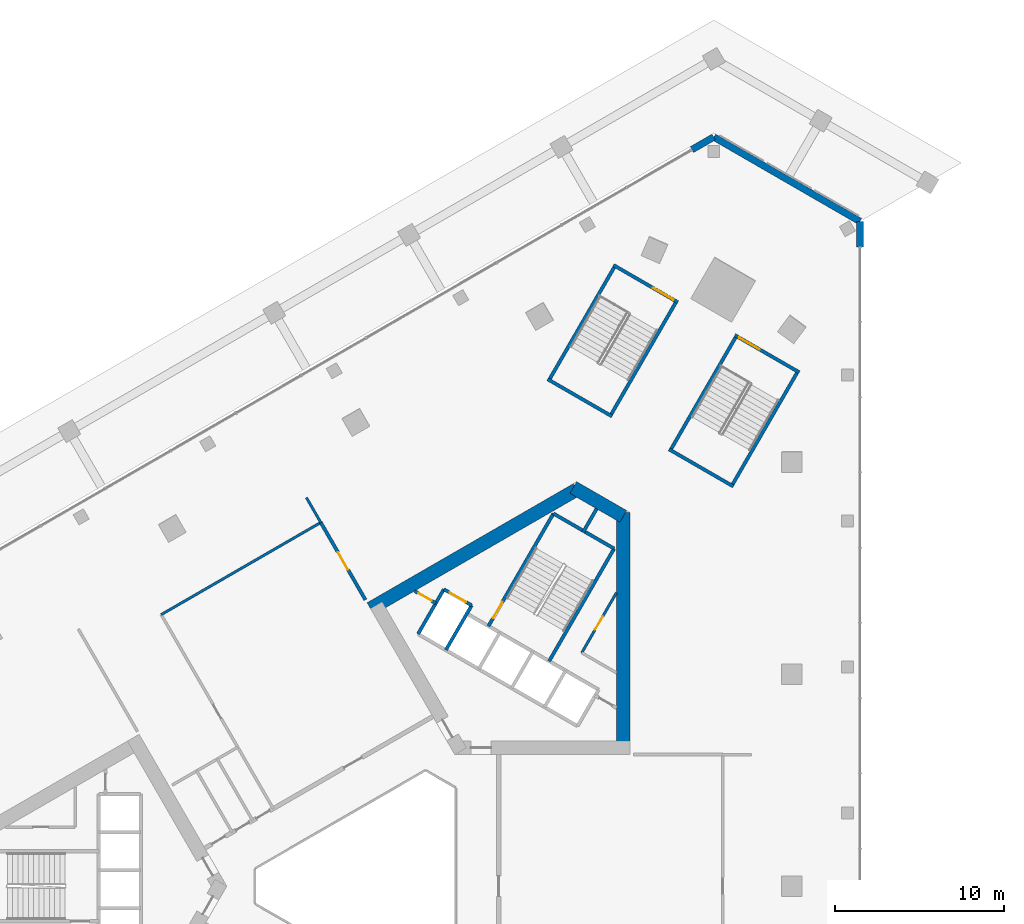
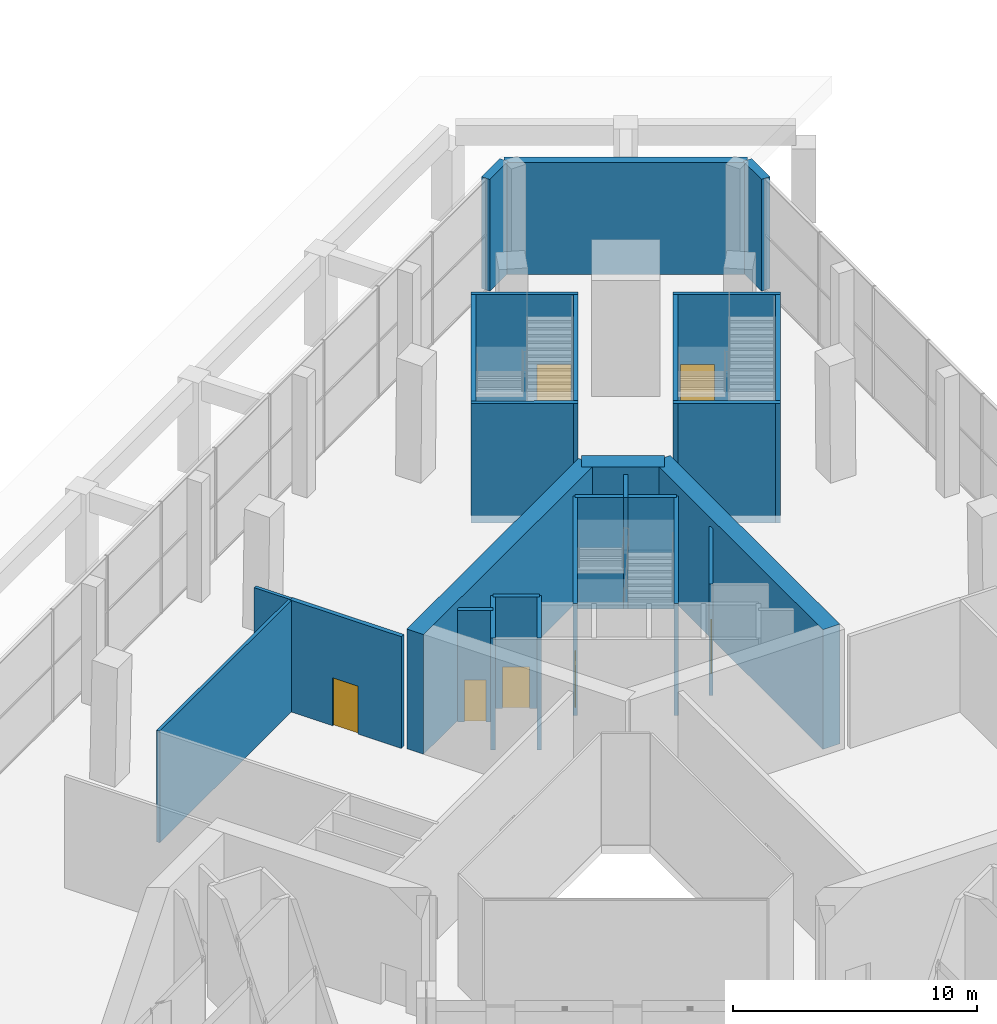
# One storey, part 30 of 51: 26 walls, 7 doors, 7 openings.
"""IFC4 building model written with IfcOpenShell, lengths in metres."""

from ifc_helpers import new_model, si_unit, direction, frame, frame_2d, origin, place, context, subcontext, project, spatial, rectangle, extrude, material, layer, layer_set, type_object, element, fill, save


model = new_model("IFC4")

# Units and contexts
model_context = context("Model", 3, precision=1e-05, world=origin(), true_north=direction((0.0, 1.0)))
body_context = subcontext(model_context, "Body", "Model", "MODEL_VIEW")
ifc_project = project(units=[si_unit("LENGTHUNIT", "METRE"), si_unit("AREAUNIT", "SQUARE_METRE"), si_unit("VOLUMEUNIT", "CUBIC_METRE"), si_unit("PLANEANGLEUNIT", "RADIAN"), si_unit("MASSUNIT", "GRAM", prefix="KILO")], contexts=[model_context])

# Site, building, storey
site_placement = place(None, origin())
site = spatial("IfcSite", under=ifc_project, at=site_placement, CompositionType="ELEMENT")
building_placement = place(site_placement, origin())
building = spatial("IfcBuilding", under=site, at=building_placement, Name="Jabali Bay Hotel Tower and Convention Centre", CompositionType="ELEMENT")
storey_placement = place(building_placement, frame((0.0, 0.0, 9.0)))
storey = spatial("IfcBuildingStorey", under=building, at=storey_placement, Name="L01", CompositionType="ELEMENT", Elevation=9.0)

# Wall
ifc_material_1 = material(Name="Concrete C40", Category="concrete")
ifc_layer_1 = layer(ifc_material_1, 0.199951171875)
ifc_layer_set_1 = layer_set([ifc_layer_1], Name="Concrete C40")
wall_type_1 = type_object("IfcWallType", Name="Core partition wall 200", PredefinedType="PARTITIONING", material=ifc_layer_set_1)
wall_1_placement = place(storey_placement, frame((87.090087890625, 100.9404296875, 0.0), z_axis=(0.0, 0.0, 1.0), x_axis=(0.499956811548, 0.866050337213, 0.0)))
element("IfcWall", 1, at=wall_1_placement, inside=storey, type_object=wall_type_1, Name="Core wall 1.5 L01", PredefinedType="PARTITIONING", context=body_context, shape_type="SweptSolid", body=[
    extrude(rectangle(XDim=1.623291015625, YDim=0.199951171875, at=frame_2d((0.8115234375, 0.0))), origin(), (0.0, 0.0, 1.0), 5.60009765625),
])

# Wall, opening, door
wall_2_placement = place(storey_placement, frame((78.380126953125, 96.754638671875, 0.0), z_axis=(0.0, 0.0, 1.0), x_axis=(-0.866003949776, 0.500037157592, 0.0)))
wall_2 = element("IfcWall", 2, at=wall_2_placement, inside=storey, type_object=wall_type_1, Name="Core wall 1.12 L01", PredefinedType="PARTITIONING", context=body_context, shape_type="SweptSolid", body=[
    extrude(rectangle(XDim=1.455078125, YDim=0.199951171875, at=frame_2d((0.7275390625, 0.0))), origin(), (0.0, 0.0, 1.0), 5.60009765625),
])
opening_1_placement = place(wall_2_placement, frame((0.277587890625, 0.0, 0.0)))
opening_1 = element("IfcOpeningElement", 3, at=opening_1_placement, cuts=wall_2, Name="Opening D134", PredefinedType="OPENING", context=body_context, shape_type="SweptSolid", body=[
    extrude(rectangle(XDim=0.89990234375, YDim=2.10009765625, at=frame_2d((0.449951171875, 1.050048828125))), frame((0.0, 0.1103515625, 0.0), z_axis=(0.0, -1.0, 0.0), x_axis=(1.0, 0.0, 0.0)), (0.0, 0.0, 1.0), 0.220947265625),
])
ifc_material_2 = material(Name="Fire-rated steel door", Category="steel")
door_type_1 = type_object("IfcDoorType", Name="Vestibule fire door 900 x 2100", OperationType="NOTDEFINED", PredefinedType="NOTDEFINED", material=ifc_material_2)
door_1_placement = place(opening_1_placement, origin())
door_1 = element("IfcDoor", 4, at=door_1_placement, inside=storey, type_object=door_type_1, Name="Vestibule fire door D134", OperationType="SINGLE_SWING_LEFT", OverallHeight=2.10009765625, OverallWidth=0.89990234375, PredefinedType="NOTDEFINED", context=body_context, shape_type="SweptSolid", body=[
    extrude(rectangle(XDim=0.89990234375, YDim=2.10009765625, at=frame_2d((0.449951171875, 1.050048828125))), frame((0.0, 0.02490234375, 0.0), z_axis=(0.0, -1.0, 0.0), x_axis=(1.0, 0.0, 0.0)), (0.0, 0.0, 1.0), 0.050048828125),
])
fill(opening_1, door_1)

ifc_material_3 = material(Name="Fire-rated board partition")
ifc_layer_2 = layer(ifc_material_3, 0.14990234375)
ifc_layer_set_2 = layer_set([ifc_layer_2], Name="Fire-rated board partition")
wall_type_2 = type_object("IfcWallType", Name="Core room partition 150", PredefinedType="PARTITIONING", material=ifc_layer_set_2)
wall_3_placement = place(storey_placement, frame((87.02099609375, 93.821044921875, 0.0), z_axis=(0.0, 0.0, 1.0), x_axis=(0.500028662945, 0.866008854593, 0.0)))
wall_3 = element("IfcWall", 5, at=wall_3_placement, inside=storey, type_object=wall_type_2, Name="Core wall 1.1 L01", PredefinedType="PARTITIONING", context=body_context, shape_type="SweptSolid", body=[
    extrude(rectangle(XDim=4.117919921875, YDim=0.14990234375, at=frame_2d((2.05908203125, 0.0))), origin(), (0.0, 0.0, 1.0), 5.60009765625),
])
opening_2_placement = place(wall_3_placement, frame((1.58154296875, 0.0, 0.0)))
opening_2 = element("IfcOpeningElement", 6, at=opening_2_placement, cuts=wall_3, Name="Opening D137", PredefinedType="OPENING", context=body_context, shape_type="SweptSolid", body=[
    extrude(rectangle(XDim=0.89990234375, YDim=2.10009765625, at=frame_2d((0.449951171875, 1.050048828125))), frame((0.0, 0.08544921875, 0.0), z_axis=(0.0, -1.0, 0.0), x_axis=(1.0, 0.0, 0.0)), (0.0, 0.0, 1.0), 0.1708984375),
])
door_type_2 = type_object("IfcDoorType", Name="Core room door 900 x 2100", OperationType="NOTDEFINED", PredefinedType="NOTDEFINED", material=ifc_material_2)
door_2_placement = place(opening_2_placement, origin())
door_2 = element("IfcDoor", 7, at=door_2_placement, inside=storey, type_object=door_type_2, Name="Core room door D137", OperationType="SINGLE_SWING_LEFT", OverallHeight=2.10009765625, OverallWidth=0.89990234375, PredefinedType="NOTDEFINED", context=body_context, shape_type="SweptSolid", body=[
    extrude(rectangle(XDim=0.89990234375, YDim=2.10009765625, at=frame_2d((0.449951171875, 1.050048828125))), frame((0.0, 0.02490234375, 0.0), z_axis=(0.0, -1.0, 0.0), x_axis=(1.0, 0.0, 0.0)), (0.0, 0.0, 1.0), 0.050048828125),
])
fill(opening_2, door_2)

# Wall
ifc_layer_3 = layer(ifc_material_1, 0.199951171875)
ifc_layer_set_3 = layer_set([ifc_layer_3], Name="Concrete C40")
wall_type_3 = type_object("IfcWallType", Name="Core stair wall 200", PredefinedType="SOLIDWALL", material=ifc_layer_set_3)
wall_4_placement = place(storey_placement, frame((85.0869140625, 93.3212890625, 0.0), z_axis=(0.0, 0.0, 1.0), x_axis=(0.500019787375, 0.866013979237, 0.0)))
element("IfcWall", 8, at=wall_4_placement, inside=storey, type_object=wall_type_3, Name="Core wall 1.3 L01", PredefinedType="SOLIDWALL", context=body_context, shape_type="SweptSolid", body=[
    extrude(rectangle(XDim=7.699951171875, YDim=0.199951171875, at=frame_2d((3.85009765625, 0.0))), origin(), (0.0, 0.0, 1.0), 5.60009765625),
])

# Wall, opening, door
wall_5_placement = place(storey_placement, frame((81.492919921875, 95.396240234375, 0.0), z_axis=(0.0, 0.0, 1.0), x_axis=(0.500006057782, 0.866021906294, 0.0)))
wall_5 = element("IfcWall", 9, at=wall_5_placement, inside=storey, type_object=wall_type_3, Name="Core wall 1.7 L01", PredefinedType="SOLIDWALL", context=body_context, shape_type="SweptSolid", body=[
    extrude(rectangle(XDim=7.7001953125, YDim=0.199951171875, at=frame_2d((3.85009765625, 0.0))), origin(), (0.0, 0.0, 1.0), 5.60009765625),
])
opening_3_placement = place(wall_5_placement, frame((0.550048828125, 0.0, 0.0)))
opening_3 = element("IfcOpeningElement", 10, at=opening_3_placement, cuts=wall_5, Name="Opening D136", PredefinedType="OPENING", context=body_context, shape_type="SweptSolid", body=[
    extrude(rectangle(XDim=1.10009765625, YDim=2.10009765625, at=frame_2d((0.550048828125, 1.050048828125))), frame((0.0, 0.1103515625, 0.0), z_axis=(0.0, -1.0, 0.0), x_axis=(1.0, 0.0, 0.0)), (0.0, 0.0, 1.0), 0.220947265625),
])
door_type_3 = type_object("IfcDoorType", Name="Stair fire door 1100 x 2100", OperationType="NOTDEFINED", PredefinedType="NOTDEFINED", material=ifc_material_2)
door_3_placement = place(opening_3_placement, origin())
door_3 = element("IfcDoor", 11, at=door_3_placement, inside=storey, type_object=door_type_3, Name="Stair fire door D136", OperationType="SINGLE_SWING_RIGHT", OverallHeight=2.10009765625, OverallWidth=1.10009765625, PredefinedType="NOTDEFINED", context=body_context, shape_type="SweptSolid", body=[
    extrude(rectangle(XDim=1.10009765625, YDim=2.10009765625, at=frame_2d((0.550048828125, 1.050048828125))), frame((0.0, 0.02490234375, 0.0), z_axis=(0.0, -1.0, 0.0), x_axis=(1.0, 0.0, 0.0)), (0.0, 0.0, 1.0), 0.050048828125),
])
fill(opening_3, door_3)

# Walls
for number, where, z_axis, x_axis, name in (
    (12, (78.9755859375, 93.98583984375, 0.0), (0.0, 0.0, 1.0), (0.499944174705, 0.866057632134, 0.0), "Core wall 1.8 L01"),
    (13, (77.330078125, 94.93603515625, 0.0), (0.0, 0.0, 1.0), (0.500038867431, 0.8660029625, 0.0), "Core wall 1.9 L01"),
):
    element("IfcWall", number, at=place(storey_placement, frame(where, z_axis=z_axis, x_axis=x_axis)), inside=storey, type_object=wall_type_3, Name=name, PredefinedType="SOLIDWALL", context=body_context, shape_type="SweptSolid", body=[
        extrude(rectangle(XDim=3.050048828125, YDim=0.199951171875, at=frame_2d((1.52490234375, 0.0))), origin(), (0.0, 0.0, 1.0), 5.60009765625),
    ])

# Wall, opening, door
wall_6_placement = place(storey_placement, frame((80.50048828125, 96.62744140625, 0.0), z_axis=(0.0, 0.0, 1.0), x_axis=(-0.86601224135, 0.500022797313, 0.0)))
wall_6 = element("IfcWall", 14, at=wall_6_placement, inside=storey, type_object=wall_type_3, Name="Core wall 1.14 L01", PredefinedType="SOLIDWALL", context=body_context, shape_type="SweptSolid", body=[
    extrude(rectangle(XDim=1.89990234375, YDim=0.199951171875, at=frame_2d((0.949951171875, 0.0))), origin(), (0.0, 0.0, 1.0), 5.60009765625),
])
opening_4_placement = place(wall_6_placement, frame((0.39990234375, 0.0, 0.0)))
opening_4 = element("IfcOpeningElement", 15, at=opening_4_placement, cuts=wall_6, Name="Opening LD10-L01", PredefinedType="OPENING", context=body_context, shape_type="SweptSolid", body=[
    extrude(rectangle(XDim=1.10009765625, YDim=2.10009765625, at=frame_2d((0.550048828125, 1.050048828125))), frame((0.0, 0.1103515625, 0.0), z_axis=(0.0, -1.0, 0.0), x_axis=(1.0, 0.0, 0.0)), (0.0, 0.0, 1.0), 0.220947265625),
])
ifc_material_4 = material(Name="Stainless steel landing door", Category="steel")
door_type_4 = type_object("IfcDoorType", Name="Landing door 1100 x 2100", OperationType="NOTDEFINED", PredefinedType="NOTDEFINED", material=ifc_material_4)
door_4_placement = place(opening_4_placement, origin())
door_4 = element("IfcDoor", 16, at=door_4_placement, inside=storey, type_object=door_type_4, Name="Landing doors LD10-L01", OperationType="SLIDING_TO_RIGHT", OverallHeight=2.10009765625, OverallWidth=1.10009765625, PredefinedType="NOTDEFINED", context=body_context, shape_type="SweptSolid", body=[
    extrude(rectangle(XDim=1.10009765625, YDim=2.10009765625, at=frame_2d((0.550048828125, 1.050048828125))), frame((0.0, 0.02490234375, 0.0), z_axis=(0.0, -1.0, 0.0), x_axis=(1.0, 0.0, 0.0)), (0.0, 0.0, 1.0), 0.050048828125),
])
fill(opening_4, door_4)

# Walls
wall_7_placement = place(storey_placement, frame((88.93701171875, 99.989501953125, 0.0), z_axis=(0.0, 0.0, 1.0), x_axis=(-0.866004344652, 0.500036473714, 0.0)))
element("IfcWall", 17, at=wall_7_placement, inside=storey, type_object=wall_type_3, Name="Core wall 1.16 L01", PredefinedType="SOLIDWALL", context=body_context, shape_type="SweptSolid", body=[
    extrude(rectangle(XDim=4.150146484375, YDim=0.199951171875, at=frame_2d((2.0751953125, 0.0))), origin(), (0.0, 0.0, 1.0), 5.60009765625),
])
ifc_material_5 = material(Name="Concrete C60", Category="concrete")
ifc_layer_4 = layer(ifc_material_5, 0.800048828125)
ifc_layer_set_4 = layer_set([ifc_layer_4], Name="Concrete C60")
wall_type_4 = type_object("IfcWallType", Name="Core wall 800", PredefinedType="SHEAR", material=ifc_layer_set_4)
wall_8_placement = place(storey_placement, frame((89.47998046875, 88.1943359375, 0.0), z_axis=(0.0, 0.0, 1.0), x_axis=(0.0, 1.0, 0.0)))
element("IfcWall", 18, at=wall_8_placement, inside=storey, type_object=wall_type_4, Name="Core wall 2.2 L01", PredefinedType="SHEAR", context=body_context, shape_type="SweptSolid", body=[
    extrude(rectangle(XDim=13.933349609375, YDim=0.800048828125, at=frame_2d((6.966796875, 0.0))), origin(), (0.0, 0.0, 1.0), 6.0),
])
wall_9_placement = place(storey_placement, frame((89.47998046875, 101.896728515625, 0.0), z_axis=(0.0, 0.0, 1.0), x_axis=(-0.866034355626, 0.499984494636, 0.0)))
element("IfcWall", 19, at=wall_9_placement, inside=storey, type_object=wall_type_4, Name="Core wall 2.3 L01", PredefinedType="SHEAR", context=body_context, shape_type="SweptSolid", body=[
    extrude(rectangle(XDim=3.4140625, YDim=0.800048828125, at=frame_2d((1.70703125, 0.0))), origin(), (0.0, 0.0, 1.0), 6.0),
])
wall_10_placement = place(storey_placement, frame((86.72314453125, 103.48828125, 0.0), z_axis=(0.0, 0.0, 1.0), x_axis=(-0.866032504327, -0.499987701298, 0.0)))
element("IfcWall", 20, at=wall_10_placement, inside=storey, type_object=wall_type_4, Name="Core wall 2.4 L01", PredefinedType="SHEAR", context=body_context, shape_type="SweptSolid", body=[
    extrude(rectangle(XDim=14.102294921875, YDim=0.800048828125, at=frame_2d((7.05126953125, 0.0))), origin(), (0.0, 0.0, 1.0), 6.0),
])
ifc_material_6 = material(Name="Plasterboard on steel stud", Category="steel")
ifc_layer_5 = layer(ifc_material_6, 0.14990234375)
ifc_layer_set_5 = layer_set([ifc_layer_5], Name="Plasterboard on steel stud")
wall_type_5 = type_object("IfcWallType", Name="Partition 150 wet", PredefinedType="PARTITIONING", material=ifc_layer_set_5)
wall_11_placement = place(storey_placement, frame((71.56591796875, 101.536376953125, 0.0), z_axis=(0.0, 0.0, 1.0), x_axis=(-0.866017530991, -0.50001363583, 0.0)))
element("IfcWall", 21, at=wall_11_placement, inside=storey, type_object=wall_type_5, Name="Partition P03 L01 006", PredefinedType="PARTITIONING", context=body_context, shape_type="SweptSolid", body=[
    extrude(rectangle(XDim=10.910888671875, YDim=0.14990234375, at=frame_2d((5.45556640625, 0.0))), origin(), (0.0, 0.0, 1.0), 5.60009765625),
])
wall_12_placement = place(storey_placement, frame((71.575927734375, 101.51904296875, 0.0), z_axis=(0.0, 0.0, 1.0), x_axis=(-0.499942880228, 0.866058379388, 0.0)))
element("IfcWall", 22, at=wall_12_placement, inside=storey, type_object=wall_type_5, Name="Partition P03 L01 011", PredefinedType="PARTITIONING", context=body_context, shape_type="SweptSolid", body=[
    extrude(rectangle(XDim=1.725830078125, YDim=0.14990234375, at=frame_2d((0.86279296875, 0.0))), origin(), (0.0, 0.0, 1.0), 5.60009765625),
])

# Wall, opening, door
ifc_layer_6 = layer(ifc_material_6, 0.199951171875)
ifc_layer_set_6 = layer_set([ifc_layer_6], Name="Plasterboard on steel stud")
wall_type_6 = type_object("IfcWallType", Name="Partition 200 party", PredefinedType="PARTITIONING", material=ifc_layer_set_6)
wall_13_placement = place(storey_placement, frame((74.21044921875, 96.955810546875, 0.0), z_axis=(0.0, 0.0, 1.0), x_axis=(-0.499991804824, 0.86603013522, 0.0)))
wall_13 = element("IfcWall", 23, at=wall_13_placement, inside=storey, type_object=wall_type_6, Name="Partition P01 L01 008", PredefinedType="PARTITIONING", context=body_context, shape_type="SweptSolid", body=[
    extrude(rectangle(XDim=5.30908203125, YDim=0.199951171875, at=frame_2d((2.654541015625, 0.0))), origin(), (0.0, 0.0, 1.0), 5.60009765625),
])
opening_5_placement = place(wall_13_placement, frame((2.054931640625, 0.0, 0.0)))
opening_5 = element("IfcOpeningElement", 24, at=opening_5_placement, cuts=wall_13, Name="Opening 0112", PredefinedType="OPENING", context=body_context, shape_type="SweptSolid", body=[
    extrude(rectangle(XDim=1.199951171875, YDim=2.39990234375, at=frame_2d((0.60009765625, 1.199951171875))), frame((0.0, 0.1103515625, 0.0), z_axis=(0.0, -1.0, 0.0), x_axis=(1.0, 0.0, 0.0)), (0.0, 0.0, 1.0), 0.220947265625),
])
ifc_material_7 = material(Name="Timber", Category="wood")
door_type_5 = type_object("IfcDoorType", Name="Public room door 1200 x 2400", OperationType="NOTDEFINED", PredefinedType="NOTDEFINED", material=ifc_material_7)
door_5_placement = place(opening_5_placement, origin())
door_5 = element("IfcDoor", 25, at=door_5_placement, inside=storey, type_object=door_type_5, Name="Door 0112", OperationType="SINGLE_SWING_RIGHT", OverallHeight=2.39990234375, OverallWidth=1.199951171875, PredefinedType="NOTDEFINED", context=body_context, shape_type="SweptSolid", body=[
    extrude(rectangle(XDim=1.199951171875, YDim=2.39990234375, at=frame_2d((0.60009765625, 1.199951171875))), frame((0.0, 0.02490234375, 0.0), z_axis=(0.0, -1.0, 0.0), x_axis=(1.0, 0.0, 0.0)), (0.0, 0.0, 1.0), 0.050048828125),
])
fill(opening_5, door_5)

# Walls
ifc_layer_7 = layer(ifc_material_1, 0.39990234375)
ifc_layer_set_7 = layer_set([ifc_layer_7], Name="Concrete C40")
wall_type_7 = type_object("IfcWallType", Name="Podium external wall 400", PredefinedType="SOLIDWALL", material=ifc_layer_set_7)
wall_14_placement = place(storey_placement, frame((103.5, 119.363525390625, 0.0), z_axis=(0.0, 0.0, 1.0), x_axis=(0.0, -1.0, 0.0)))
element("IfcWall", 26, at=wall_14_placement, inside=storey, type_object=wall_type_7, Name="External wall east face L01", PredefinedType="SOLIDWALL", context=body_context, shape_type="SweptSolid", body=[
    extrude(rectangle(XDim=1.5, YDim=0.39990234375, at=frame_2d((0.75, 0.0))), origin(), (0.0, 0.0, 1.0), 5.60009765625),
])
wall_15_placement = place(storey_placement, frame((94.83984375, 124.363525390625, 0.0), z_axis=(0.0, 0.0, 1.0), x_axis=(0.866022959057, -0.500004234368, 0.0)))
element("IfcWall", 27, at=wall_15_placement, inside=storey, type_object=wall_type_7, Name="External wall north-east chamfer L01", PredefinedType="SOLIDWALL", context=body_context, shape_type="SweptSolid", body=[
    extrude(rectangle(XDim=10.0, YDim=0.39990234375, at=frame_2d((5.0, 0.0))), origin(), (0.0, 0.0, 1.0), 5.60009765625),
])
wall_16_placement = place(storey_placement, frame((93.540771484375, 123.613525390625, 0.0), z_axis=(0.0, 0.0, 1.0), x_axis=(0.866031096941, 0.499990139034, 0.0)))
element("IfcWall", 28, at=wall_16_placement, inside=storey, type_object=wall_type_7, Name="External wall north-west face L01", PredefinedType="SOLIDWALL", context=body_context, shape_type="SweptSolid", body=[
    extrude(rectangle(XDim=1.5, YDim=0.39990234375, at=frame_2d((0.75, 0.0))), origin(), (0.0, 0.0, 1.0), 5.60009765625),
])

# Wall, opening, door
ifc_layer_8 = layer(ifc_material_1, 0.199951171875)
ifc_layer_set_8 = layer_set([ifc_layer_8], Name="Concrete C40")
wall_type_8 = type_object("IfcWallType", Name="Podium stair enclosure wall 200", PredefinedType="SOLIDWALL", material=ifc_layer_set_8)
wall_17_placement = place(storey_placement, frame((92.711181640625, 114.576904296875, -0.39990234375), z_axis=(0.0, 0.0, 1.0), x_axis=(-0.866032203192, 0.499988222896, 0.0)))
wall_17 = element("IfcWall", 29, at=wall_17_placement, inside=storey, type_object=wall_type_8, Name="Podium stair wall 3.1 L01", PredefinedType="SOLIDWALL", context=body_context, shape_type="SweptSolid", body=[
    extrude(rectangle(XDim=4.39990234375, YDim=0.199951171875, at=frame_2d((2.199951171875, 0.0))), origin(), (0.0, 0.0, 1.0), 6.0),
])
opening_6_placement = place(wall_17_placement, frame((0.300048828125, 0.0, 0.39990234375)))
opening_6 = element("IfcOpeningElement", 30, at=opening_6_placement, cuts=wall_17, Name="Opening D1747", PredefinedType="OPENING", context=body_context, shape_type="SweptSolid", body=[
    extrude(rectangle(XDim=1.39990234375, YDim=2.10009765625, at=frame_2d((0.699951171875, 1.050048828125))), frame((0.0, 0.1103515625, 0.0), z_axis=(0.0, -1.0, 0.0), x_axis=(1.0, 0.0, 0.0)), (0.0, 0.0, 1.0), 0.220947265625),
])
door_type_6 = type_object("IfcDoorType", Name="Podium stair fire door 1400 x 2100", OperationType="NOTDEFINED", PredefinedType="NOTDEFINED", material=ifc_material_2)
door_6_placement = place(opening_6_placement, origin())
door_6 = element("IfcDoor", 31, at=door_6_placement, inside=storey, type_object=door_type_6, Name="Podium stair fire door D1747", OperationType="SINGLE_SWING_RIGHT", OverallHeight=2.10009765625, OverallWidth=1.39990234375, PredefinedType="NOTDEFINED", context=body_context, shape_type="SweptSolid", body=[
    extrude(rectangle(XDim=1.39990234375, YDim=2.10009765625, at=frame_2d((0.699951171875, 1.050048828125))), frame((0.0, 0.02490234375, 0.0), z_axis=(0.0, -1.0, 0.0), x_axis=(1.0, 0.0, 0.0)), (0.0, 0.0, 1.0), 0.050048828125),
])
fill(opening_6, door_6)

# Walls
wall_18_placement = place(storey_placement, frame((89.037353515625, 116.8134765625, -0.39990234375), z_axis=(0.0, 0.0, 1.0), x_axis=(-0.49999894854, -0.866026010844, 0.0)))
element("IfcWall", 32, at=wall_18_placement, inside=storey, type_object=wall_type_8, Name="Podium stair wall 3.2 L01", PredefinedType="SOLIDWALL", context=body_context, shape_type="SweptSolid", body=[
    extrude(rectangle(XDim=8.0, YDim=0.199951171875, at=frame_2d((4.0, 0.0))), origin(), (0.0, 0.0, 1.0), 6.0),
])
wall_19_placement = place(storey_placement, frame((85.000732421875, 110.021728515625, -0.39990234375), z_axis=(0.0, 0.0, 1.0), x_axis=(0.866032203192, -0.499988222896, 0.0)))
element("IfcWall", 33, at=wall_19_placement, inside=storey, type_object=wall_type_8, Name="Podium stair wall 3.3 L01", PredefinedType="SOLIDWALL", context=body_context, shape_type="SweptSolid", body=[
    extrude(rectangle(XDim=4.39990234375, YDim=0.199951171875, at=frame_2d((2.199951171875, 0.0))), origin(), (0.0, 0.0, 1.0), 6.0),
])
wall_20_placement = place(storey_placement, frame((88.674560546875, 107.78515625, -0.39990234375), z_axis=(0.0, 0.0, 1.0), x_axis=(0.49999894854, 0.866026010844, 0.0)))
element("IfcWall", 34, at=wall_20_placement, inside=storey, type_object=wall_type_8, Name="Podium stair wall 3.4 L01", PredefinedType="SOLIDWALL", context=body_context, shape_type="SweptSolid", body=[
    extrude(rectangle(XDim=8.0, YDim=0.199951171875, at=frame_2d((4.0, 0.0))), origin(), (0.0, 0.0, 1.0), 6.0),
])

# Wall, opening, door
wall_21_placement = place(storey_placement, frame((99.899169921875, 110.4267578125, -0.39990234375), z_axis=(0.0, 0.0, 1.0), x_axis=(-0.866018331238, 0.50001224981, 0.0)))
wall_21 = element("IfcWall", 35, at=wall_21_placement, inside=storey, type_object=wall_type_8, Name="Podium stair wall 4.1 L01", PredefinedType="SOLIDWALL", context=body_context, shape_type="SweptSolid", body=[
    extrude(rectangle(XDim=4.39990234375, YDim=0.199951171875, at=frame_2d((2.199951171875, 0.0))), origin(), (0.0, 0.0, 1.0), 6.0),
])
opening_7_placement = place(wall_21_placement, frame((2.699951171875, 0.0, 0.39990234375)))
opening_7 = element("IfcOpeningElement", 36, at=opening_7_placement, cuts=wall_21, Name="Opening D1752", PredefinedType="OPENING", context=body_context, shape_type="SweptSolid", body=[
    extrude(rectangle(XDim=1.39990234375, YDim=2.10009765625, at=frame_2d((0.699951171875, 1.050048828125))), frame((0.0, 0.1103515625, 0.0), z_axis=(0.0, -1.0, 0.0), x_axis=(1.0, 0.0, 0.0)), (0.0, 0.0, 1.0), 0.220947265625),
])
door_7_placement = place(opening_7_placement, origin())
door_7 = element("IfcDoor", 37, at=door_7_placement, inside=storey, type_object=door_type_6, Name="Podium stair fire door D1752", OperationType="SINGLE_SWING_RIGHT", OverallHeight=2.10009765625, OverallWidth=1.39990234375, PredefinedType="NOTDEFINED", context=body_context, shape_type="SweptSolid", body=[
    extrude(rectangle(XDim=1.39990234375, YDim=2.10009765625, at=frame_2d((0.699951171875, 1.050048828125))), frame((0.0, 0.02490234375, 0.0), z_axis=(0.0, -1.0, 0.0), x_axis=(1.0, 0.0, 0.0)), (0.0, 0.0, 1.0), 0.050048828125),
])
fill(opening_7, door_7)

# Walls
wall_22_placement = place(storey_placement, frame((96.225341796875, 112.663330078125, -0.39990234375), z_axis=(0.0, 0.0, 1.0), x_axis=(-0.49999894854, -0.866026010844, 0.0)))
element("IfcWall", 38, at=wall_22_placement, inside=storey, type_object=wall_type_8, Name="Podium stair wall 4.2 L01", PredefinedType="SOLIDWALL", context=body_context, shape_type="SweptSolid", body=[
    extrude(rectangle(XDim=8.0, YDim=0.199951171875, at=frame_2d((4.0, 0.0))), origin(), (0.0, 0.0, 1.0), 6.0),
])
wall_23_placement = place(storey_placement, frame((92.188720703125, 105.871826171875, -0.39990234375), z_axis=(0.0, 0.0, 1.0), x_axis=(0.866032203192, -0.499988222896, 0.0)))
element("IfcWall", 39, at=wall_23_placement, inside=storey, type_object=wall_type_8, Name="Podium stair wall 4.3 L01", PredefinedType="SOLIDWALL", context=body_context, shape_type="SweptSolid", body=[
    extrude(rectangle(XDim=4.39990234375, YDim=0.199951171875, at=frame_2d((2.199951171875, 0.0))), origin(), (0.0, 0.0, 1.0), 6.0),
])
wall_24_placement = place(storey_placement, frame((95.862548828125, 103.63525390625, -0.39990234375), z_axis=(0.0, 0.0, 1.0), x_axis=(0.49999894854, 0.866026010844, 0.0)))
element("IfcWall", 40, at=wall_24_placement, inside=storey, type_object=wall_type_8, Name="Podium stair wall 4.4 L01", PredefinedType="SOLIDWALL", context=body_context, shape_type="SweptSolid", body=[
    extrude(rectangle(XDim=8.0, YDim=0.199951171875, at=frame_2d((4.0, 0.0))), origin(), (0.0, 0.0, 1.0), 6.0),
])

save(model, "model.ifc")
